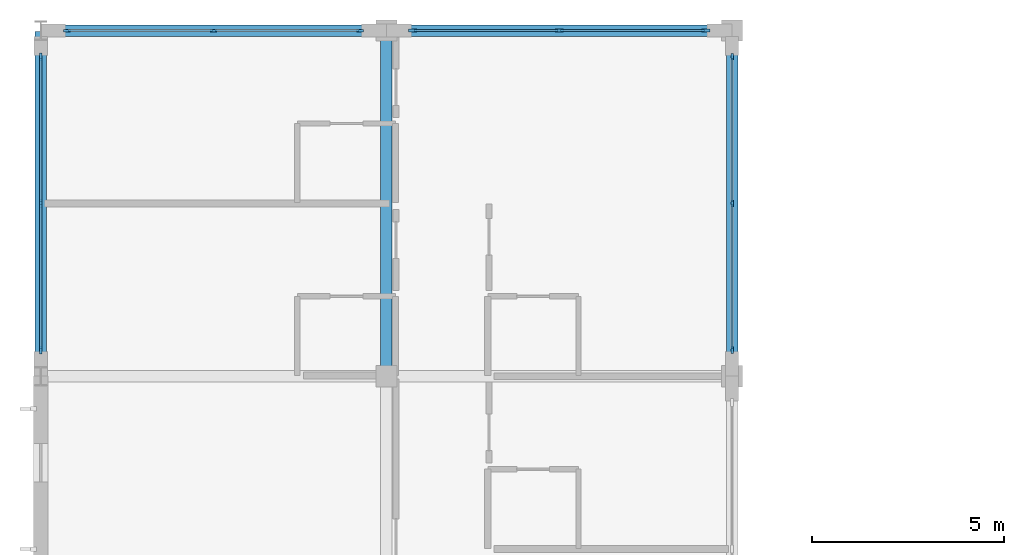
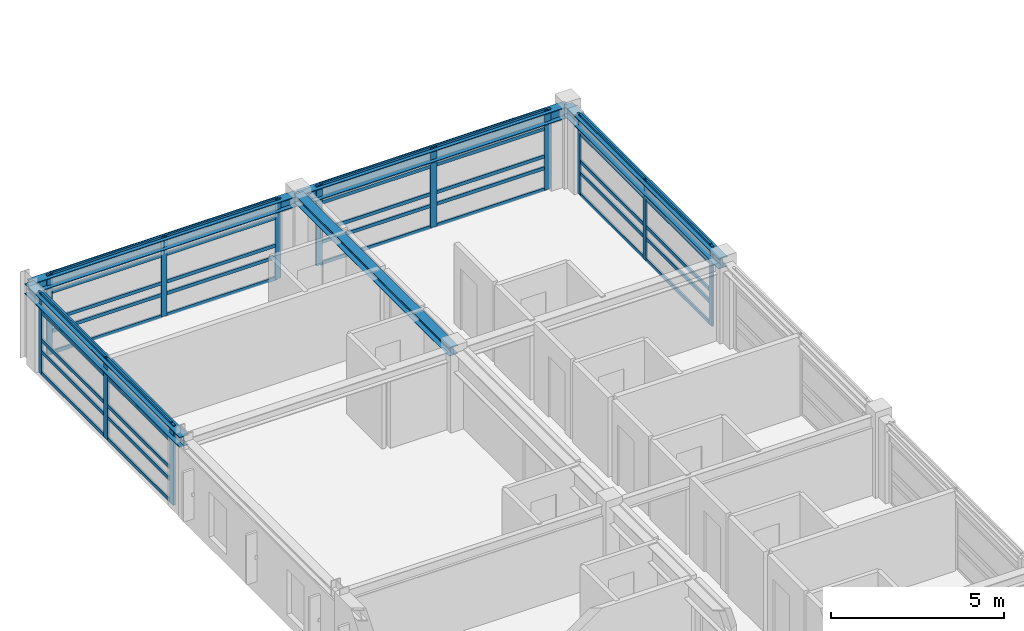
# One storey, part 10 of 30: 52 members, 5 beams, 4 elements without a shape of their own.
"""IFC4 building model written with IfcOpenShell, lengths in metres."""

from ifc_helpers import new_model, si_unit, direction, frame, origin, origin_2d, place, context, subcontext, project, spatial, rectangle, i_section, extrude, material, material_profile, profile_set, type_object, element, aggregate, save


model = new_model("IFC4")

# Units and contexts
model_context = context("Model", 3, precision=1e-05, world=origin(), true_north=direction((0.0, 1.0)))
body_context = subcontext(model_context, "Body", "Model", "MODEL_VIEW")
ifc_project = project(units=[si_unit("LENGTHUNIT", "METRE"), si_unit("AREAUNIT", "SQUARE_METRE"), si_unit("VOLUMEUNIT", "CUBIC_METRE"), si_unit("PLANEANGLEUNIT", "RADIAN"), si_unit("MASSUNIT", "GRAM", prefix="KILO")], contexts=[model_context])

# Site, building, storey
site_placement = place(None, origin())
site = spatial("IfcSite", under=ifc_project, at=site_placement, CompositionType="ELEMENT")
building_placement = place(site_placement, origin())
building = spatial("IfcBuilding", under=site, at=building_placement, Name="Palais des Congres Ocreval", CompositionType="ELEMENT")
storey_placement = place(building_placement, frame((0.0, 0.0, 14.56005859375)))
storey = spatial("IfcBuildingStorey", under=building, at=storey_placement, Name="L04", CompositionType="ELEMENT", Elevation=14.56005859375)

# Curtain wall, members
ifc_material_1 = material(Name="Anodized bronze aluminium and low-E glass", Category="glass")
curtain_wall_type = type_object("IfcCurtainWallType", Name="Unitised Curtain Wall 7900x2820", PredefinedType="USERDEFINED", material=ifc_material_1)
curtain_wall_1_placement = place(storey_placement, origin())
curtain_wall_1 = element("IfcCurtainWall", 1, at=curtain_wall_1_placement, inside=storey, type_object=curtain_wall_type, Name="Unitised Curtain Wall CW04 L04", ObjectType="UNITISED CURTAIN WALL", PredefinedType="USERDEFINED")
ifc_material_2 = material(Name="Anodized bronze aluminium", Category="aluminium")
ifc_material_profile_1 = material_profile(ifc_material_2, rectangle(XDim=0.06494140625, YDim=0.179931640625, at=origin_2d()), Name="ALU 65x180")
ifc_profile_set_1 = profile_set([ifc_material_profile_1], Name="Anodized bronze aluminium")
member_type_1 = type_object("IfcMemberType", Name="Curtain Wall Mullion ALU 65x180", PredefinedType="MULLION", material=ifc_profile_set_1)
member_1_placement = place(storey_placement, frame((0.6826171875, 72.0, 0.0), z_axis=(0.0, 0.0, 1.0), x_axis=(0.0, 1.0, 0.0)))
member_1 = element("IfcMember", 2, at=member_1_placement, type_object=member_type_1, Name="Curtain Wall Mullion ML03", PredefinedType="MULLION", context=body_context, shape_type="SweptSolid", body=[
    extrude(rectangle(XDim=0.06494140625, YDim=0.179931640625, at=origin_2d()), origin(), (0.0, 0.0, 1.0), 2.81982421875),
])
member_2_placement = place(storey_placement, frame((4.5, 72.0, 0.0), z_axis=(0.0, 0.0, 1.0), x_axis=(0.0, 1.0, 0.0)))
member_2 = element("IfcMember", 3, at=member_2_placement, type_object=member_type_1, Name="Curtain Wall Mullion ML03", PredefinedType="MULLION", context=body_context, shape_type="SweptSolid", body=[
    extrude(rectangle(XDim=0.06494140625, YDim=0.179931640625, at=origin_2d()), origin(), (0.0, 0.0, 1.0), 2.81982421875),
])
member_3_placement = place(storey_placement, frame((8.3173828125, 72.0, 0.0), z_axis=(0.0, 0.0, 1.0), x_axis=(0.0, 1.0, 0.0)))
member_3 = element("IfcMember", 4, at=member_3_placement, type_object=member_type_1, Name="Curtain Wall Mullion ML03", PredefinedType="MULLION", context=body_context, shape_type="SweptSolid", body=[
    extrude(rectangle(XDim=0.06494140625, YDim=0.179931640625, at=origin_2d()), origin(), (0.0, 0.0, 1.0), 2.81982421875),
])

curtain_wall_2_placement = place(storey_placement, origin())
curtain_wall_2 = element("IfcCurtainWall", 5, at=curtain_wall_2_placement, inside=storey, type_object=curtain_wall_type, Name="Unitised Curtain Wall CW04 L04", ObjectType="UNITISED CURTAIN WALL", PredefinedType="USERDEFINED")
member_4_placement = place(storey_placement, frame((18.0, 71.3173828125, 0.0), z_axis=(0.0, 0.0, 1.0), x_axis=(1.0, 0.0, 0.0)))
member_4 = element("IfcMember", 6, at=member_4_placement, type_object=member_type_1, Name="Curtain Wall Mullion ML03", PredefinedType="MULLION", context=body_context, shape_type="SweptSolid", body=[
    extrude(rectangle(XDim=0.06494140625, YDim=0.179931640625, at=origin_2d()), origin(), (0.0, 0.0, 1.0), 2.81982421875),
])
member_5_placement = place(storey_placement, frame((18.0, 67.5, 0.0), z_axis=(0.0, 0.0, 1.0), x_axis=(1.0, 0.0, 0.0)))
member_5 = element("IfcMember", 7, at=member_5_placement, type_object=member_type_1, Name="Curtain Wall Mullion ML03", PredefinedType="MULLION", context=body_context, shape_type="SweptSolid", body=[
    extrude(rectangle(XDim=0.06494140625, YDim=0.179931640625, at=origin_2d()), origin(), (0.0, 0.0, 1.0), 2.81982421875),
])
member_6_placement = place(storey_placement, frame((18.0, 63.6826171875, 0.0), z_axis=(0.0, 0.0, 1.0), x_axis=(1.0, 0.0, 0.0)))
member_6 = element("IfcMember", 8, at=member_6_placement, type_object=member_type_1, Name="Curtain Wall Mullion ML03", PredefinedType="MULLION", context=body_context, shape_type="SweptSolid", body=[
    extrude(rectangle(XDim=0.06494140625, YDim=0.179931640625, at=origin_2d()), origin(), (0.0, 0.0, 1.0), 2.81982421875),
])

curtain_wall_3_placement = place(storey_placement, origin())
curtain_wall_3 = element("IfcCurtainWall", 9, at=curtain_wall_3_placement, inside=storey, type_object=curtain_wall_type, Name="Unitised Curtain Wall CW04 L04", ObjectType="UNITISED CURTAIN WALL", PredefinedType="USERDEFINED")
ifc_material_profile_2 = material_profile(ifc_material_2, rectangle(XDim=0.070068359375, YDim=0.2099609375, at=origin_2d()), Name="ALU 70x210")
ifc_profile_set_2 = profile_set([ifc_material_profile_2], Name="Anodized bronze aluminium")
member_type_2 = type_object("IfcMemberType", Name="Curtain Wall Mullion ALU 70x210", PredefinedType="MULLION", material=ifc_profile_set_2)
member_7_placement = place(storey_placement, frame((0.0, 63.68505859375, 0.0), z_axis=(0.0, 0.0, 1.0), x_axis=(-1.0, 0.0, 0.0)))
member_7 = element("IfcMember", 10, at=member_7_placement, type_object=member_type_2, Name="Curtain Wall Mullion ML02", PredefinedType="MULLION", context=body_context, shape_type="SweptSolid", body=[
    extrude(rectangle(XDim=0.070068359375, YDim=0.2099609375, at=origin_2d()), origin(), (0.0, 0.0, 1.0), 2.81982421875),
])
member_8_placement = place(storey_placement, frame((0.0, 67.5, 0.0), z_axis=(0.0, 0.0, 1.0), x_axis=(-1.0, 0.0, 0.0)))
member_8 = element("IfcMember", 11, at=member_8_placement, type_object=member_type_2, Name="Curtain Wall Mullion ML02", PredefinedType="MULLION", context=body_context, shape_type="SweptSolid", body=[
    extrude(rectangle(XDim=0.070068359375, YDim=0.2099609375, at=origin_2d()), origin(), (0.0, 0.0, 1.0), 2.81982421875),
])
member_9_placement = place(storey_placement, frame((0.0, 71.31494140625, 0.0), z_axis=(0.0, 0.0, 1.0), x_axis=(-1.0, 0.0, 0.0)))
member_9 = element("IfcMember", 12, at=member_9_placement, type_object=member_type_2, Name="Curtain Wall Mullion ML02", PredefinedType="MULLION", context=body_context, shape_type="SweptSolid", body=[
    extrude(rectangle(XDim=0.070068359375, YDim=0.2099609375, at=origin_2d()), origin(), (0.0, 0.0, 1.0), 2.81982421875),
])

curtain_wall_4_placement = place(storey_placement, origin())
curtain_wall_4 = element("IfcCurtainWall", 13, at=curtain_wall_4_placement, inside=storey, type_object=curtain_wall_type, Name="Unitised Curtain Wall CW04 L04", ObjectType="UNITISED CURTAIN WALL", PredefinedType="USERDEFINED")
member_10_placement = place(storey_placement, frame((9.68505859375, 72.0, 0.0), z_axis=(0.0, 0.0, 1.0), x_axis=(0.0, 1.0, 0.0)))
member_10 = element("IfcMember", 14, at=member_10_placement, type_object=member_type_2, Name="Curtain Wall Mullion ML02", PredefinedType="MULLION", context=body_context, shape_type="SweptSolid", body=[
    extrude(rectangle(XDim=0.070068359375, YDim=0.2099609375, at=origin_2d()), origin(), (0.0, 0.0, 1.0), 2.81982421875),
])
member_11_placement = place(storey_placement, frame((13.5, 72.0, 0.0), z_axis=(0.0, 0.0, 1.0), x_axis=(0.0, 1.0, 0.0)))
member_11 = element("IfcMember", 15, at=member_11_placement, type_object=member_type_2, Name="Curtain Wall Mullion ML02", PredefinedType="MULLION", context=body_context, shape_type="SweptSolid", body=[
    extrude(rectangle(XDim=0.070068359375, YDim=0.2099609375, at=origin_2d()), origin(), (0.0, 0.0, 1.0), 2.81982421875),
])
member_12_placement = place(storey_placement, frame((17.31494140625, 72.0, 0.0), z_axis=(0.0, 0.0, 1.0), x_axis=(0.0, 1.0, 0.0)))
member_12 = element("IfcMember", 16, at=member_12_placement, type_object=member_type_2, Name="Curtain Wall Mullion ML02", PredefinedType="MULLION", context=body_context, shape_type="SweptSolid", body=[
    extrude(rectangle(XDim=0.070068359375, YDim=0.2099609375, at=origin_2d()), origin(), (0.0, 0.0, 1.0), 2.81982421875),
])

# Member
ifc_material_profile_3 = material_profile(ifc_material_2, rectangle(XDim=0.06005859375, YDim=0.1201171875, at=origin_2d()), Name="ALU 60x120")
ifc_profile_set_3 = profile_set([ifc_material_profile_3], Name="Anodized bronze aluminium")
member_type_3 = type_object("IfcMemberType", Name="Curtain Wall Transom ALU 60x120", PredefinedType="USERDEFINED", material=ifc_profile_set_3)
member_13_placement = place(storey_placement, frame((0.0, 63.719970703125, 0.030029296875), z_axis=(0.0, 1.0, 0.0), x_axis=(-1.0, 0.0, 0.0)))
member_13 = element("IfcMember", 17, at=member_13_placement, type_object=member_type_3, Name="Curtain Wall Transom TR02", ObjectType="TRANSOM", PredefinedType="USERDEFINED", context=body_context, shape_type="SweptSolid", body=[
    extrude(rectangle(XDim=0.06005859375, YDim=0.1201171875, at=origin_2d()), origin(), (0.0, 0.0, 1.0), 3.7451171875),
])

member_14_placement = place(storey_placement, frame((0.0, 63.719970703125, 0.780029296875), z_axis=(0.0, 1.0, 0.0), x_axis=(-1.0, 0.0, 0.0)))
member_14 = element("IfcMember", 18, at=member_14_placement, type_object=member_type_3, Name="Curtain Wall Transom TR02", ObjectType="TRANSOM", PredefinedType="USERDEFINED", context=body_context, shape_type="SweptSolid", body=[
    extrude(rectangle(XDim=0.06005859375, YDim=0.1201171875, at=origin_2d()), origin(), (0.0, 0.0, 1.0), 3.7451171875),
])

member_15_placement = place(storey_placement, frame((0.0, 63.719970703125, 1.193359375), z_axis=(0.0, 1.0, 0.0), x_axis=(-1.0, 0.0, 0.0)))
member_15 = element("IfcMember", 19, at=member_15_placement, type_object=member_type_3, Name="Curtain Wall Transom TR02", ObjectType="TRANSOM", PredefinedType="USERDEFINED", context=body_context, shape_type="SweptSolid", body=[
    extrude(rectangle(XDim=0.06005859375, YDim=0.1201171875, at=origin_2d()), origin(), (0.0, 0.0, 1.0), 3.7451171875),
])

member_16_placement = place(storey_placement, frame((0.0, 63.719970703125, 2.169921875), z_axis=(0.0, 1.0, 0.0), x_axis=(-1.0, 0.0, 0.0)))
member_16 = element("IfcMember", 20, at=member_16_placement, type_object=member_type_3, Name="Curtain Wall Transom TR02", ObjectType="TRANSOM", PredefinedType="USERDEFINED", context=body_context, shape_type="SweptSolid", body=[
    extrude(rectangle(XDim=0.06005859375, YDim=0.1201171875, at=origin_2d()), origin(), (0.0, 0.0, 1.0), 3.7451171875),
])

member_17_placement = place(storey_placement, frame((0.0, 63.719970703125, 2.7900390625), z_axis=(0.0, 1.0, 0.0), x_axis=(-1.0, 0.0, 0.0)))
member_17 = element("IfcMember", 21, at=member_17_placement, type_object=member_type_3, Name="Curtain Wall Transom TR02", ObjectType="TRANSOM", PredefinedType="USERDEFINED", context=body_context, shape_type="SweptSolid", body=[
    extrude(rectangle(XDim=0.06005859375, YDim=0.1201171875, at=origin_2d()), origin(), (0.0, 0.0, 1.0), 3.7451171875),
])

member_18_placement = place(storey_placement, frame((0.0, 67.534912109375, 0.030029296875), z_axis=(0.0, 1.0, 0.0), x_axis=(-1.0, 0.0, 0.0)))
member_18 = element("IfcMember", 22, at=member_18_placement, type_object=member_type_3, Name="Curtain Wall Transom TR02", ObjectType="TRANSOM", PredefinedType="USERDEFINED", context=body_context, shape_type="SweptSolid", body=[
    extrude(rectangle(XDim=0.06005859375, YDim=0.1201171875, at=origin_2d()), origin(), (0.0, 0.0, 1.0), 3.7451171875),
])

member_19_placement = place(storey_placement, frame((0.0, 67.534912109375, 0.780029296875), z_axis=(0.0, 1.0, 0.0), x_axis=(-1.0, 0.0, 0.0)))
member_19 = element("IfcMember", 23, at=member_19_placement, type_object=member_type_3, Name="Curtain Wall Transom TR02", ObjectType="TRANSOM", PredefinedType="USERDEFINED", context=body_context, shape_type="SweptSolid", body=[
    extrude(rectangle(XDim=0.06005859375, YDim=0.1201171875, at=origin_2d()), origin(), (0.0, 0.0, 1.0), 3.7451171875),
])

member_20_placement = place(storey_placement, frame((0.0, 67.534912109375, 1.193359375), z_axis=(0.0, 1.0, 0.0), x_axis=(-1.0, 0.0, 0.0)))
member_20 = element("IfcMember", 24, at=member_20_placement, type_object=member_type_3, Name="Curtain Wall Transom TR02", ObjectType="TRANSOM", PredefinedType="USERDEFINED", context=body_context, shape_type="SweptSolid", body=[
    extrude(rectangle(XDim=0.06005859375, YDim=0.1201171875, at=origin_2d()), origin(), (0.0, 0.0, 1.0), 3.7451171875),
])

member_21_placement = place(storey_placement, frame((0.0, 67.534912109375, 2.169921875), z_axis=(0.0, 1.0, 0.0), x_axis=(-1.0, 0.0, 0.0)))
member_21 = element("IfcMember", 25, at=member_21_placement, type_object=member_type_3, Name="Curtain Wall Transom TR02", ObjectType="TRANSOM", PredefinedType="USERDEFINED", context=body_context, shape_type="SweptSolid", body=[
    extrude(rectangle(XDim=0.06005859375, YDim=0.1201171875, at=origin_2d()), origin(), (0.0, 0.0, 1.0), 3.7451171875),
])

member_22_placement = place(storey_placement, frame((0.0, 67.534912109375, 2.7900390625), z_axis=(0.0, 1.0, 0.0), x_axis=(-1.0, 0.0, 0.0)))
member_22 = element("IfcMember", 26, at=member_22_placement, type_object=member_type_3, Name="Curtain Wall Transom TR02", ObjectType="TRANSOM", PredefinedType="USERDEFINED", context=body_context, shape_type="SweptSolid", body=[
    extrude(rectangle(XDim=0.06005859375, YDim=0.1201171875, at=origin_2d()), origin(), (0.0, 0.0, 1.0), 3.7451171875),
])

aggregate(curtain_wall_3, [member_7, member_8, member_9, member_13, member_14, member_15, member_16, member_17, member_18, member_19, member_20, member_21, member_22])

member_23_placement = place(storey_placement, frame((0.715087890625, 72.0, 0.030029296875), z_axis=(1.0, 0.0, 0.0), x_axis=(0.0, 1.0, 0.0)))
member_23 = element("IfcMember", 27, at=member_23_placement, type_object=member_type_3, Name="Curtain Wall Transom TR02", ObjectType="TRANSOM", PredefinedType="USERDEFINED", context=body_context, shape_type="SweptSolid", body=[
    extrude(rectangle(XDim=0.06005859375, YDim=0.1201171875, at=origin_2d()), origin(), (0.0, 0.0, 1.0), 3.75244140625),
])

member_24_placement = place(storey_placement, frame((0.715087890625, 72.0, 0.780029296875), z_axis=(1.0, 0.0, 0.0), x_axis=(0.0, 1.0, 0.0)))
member_24 = element("IfcMember", 28, at=member_24_placement, type_object=member_type_3, Name="Curtain Wall Transom TR02", ObjectType="TRANSOM", PredefinedType="USERDEFINED", context=body_context, shape_type="SweptSolid", body=[
    extrude(rectangle(XDim=0.06005859375, YDim=0.1201171875, at=origin_2d()), origin(), (0.0, 0.0, 1.0), 3.75244140625),
])

member_25_placement = place(storey_placement, frame((0.715087890625, 72.0, 1.193359375), z_axis=(1.0, 0.0, 0.0), x_axis=(0.0, 1.0, 0.0)))
member_25 = element("IfcMember", 29, at=member_25_placement, type_object=member_type_3, Name="Curtain Wall Transom TR02", ObjectType="TRANSOM", PredefinedType="USERDEFINED", context=body_context, shape_type="SweptSolid", body=[
    extrude(rectangle(XDim=0.06005859375, YDim=0.1201171875, at=origin_2d()), origin(), (0.0, 0.0, 1.0), 3.75244140625),
])

member_26_placement = place(storey_placement, frame((0.715087890625, 72.0, 2.169921875), z_axis=(1.0, 0.0, 0.0), x_axis=(0.0, 1.0, 0.0)))
member_26 = element("IfcMember", 30, at=member_26_placement, type_object=member_type_3, Name="Curtain Wall Transom TR02", ObjectType="TRANSOM", PredefinedType="USERDEFINED", context=body_context, shape_type="SweptSolid", body=[
    extrude(rectangle(XDim=0.06005859375, YDim=0.1201171875, at=origin_2d()), origin(), (0.0, 0.0, 1.0), 3.75244140625),
])

member_27_placement = place(storey_placement, frame((0.715087890625, 72.0, 2.7900390625), z_axis=(1.0, 0.0, 0.0), x_axis=(0.0, 1.0, 0.0)))
member_27 = element("IfcMember", 31, at=member_27_placement, type_object=member_type_3, Name="Curtain Wall Transom TR02", ObjectType="TRANSOM", PredefinedType="USERDEFINED", context=body_context, shape_type="SweptSolid", body=[
    extrude(rectangle(XDim=0.06005859375, YDim=0.1201171875, at=origin_2d()), origin(), (0.0, 0.0, 1.0), 3.75244140625),
])

member_28_placement = place(storey_placement, frame((4.532470703125, 72.0, 0.030029296875), z_axis=(1.0, 0.0, 0.0), x_axis=(0.0, 1.0, 0.0)))
member_28 = element("IfcMember", 32, at=member_28_placement, type_object=member_type_3, Name="Curtain Wall Transom TR02", ObjectType="TRANSOM", PredefinedType="USERDEFINED", context=body_context, shape_type="SweptSolid", body=[
    extrude(rectangle(XDim=0.06005859375, YDim=0.1201171875, at=origin_2d()), origin(), (0.0, 0.0, 1.0), 3.75244140625),
])

member_29_placement = place(storey_placement, frame((4.532470703125, 72.0, 0.780029296875), z_axis=(1.0, 0.0, 0.0), x_axis=(0.0, 1.0, 0.0)))
member_29 = element("IfcMember", 33, at=member_29_placement, type_object=member_type_3, Name="Curtain Wall Transom TR02", ObjectType="TRANSOM", PredefinedType="USERDEFINED", context=body_context, shape_type="SweptSolid", body=[
    extrude(rectangle(XDim=0.06005859375, YDim=0.1201171875, at=origin_2d()), origin(), (0.0, 0.0, 1.0), 3.75244140625),
])

member_30_placement = place(storey_placement, frame((4.532470703125, 72.0, 1.193359375), z_axis=(1.0, 0.0, 0.0), x_axis=(0.0, 1.0, 0.0)))
member_30 = element("IfcMember", 34, at=member_30_placement, type_object=member_type_3, Name="Curtain Wall Transom TR02", ObjectType="TRANSOM", PredefinedType="USERDEFINED", context=body_context, shape_type="SweptSolid", body=[
    extrude(rectangle(XDim=0.06005859375, YDim=0.1201171875, at=origin_2d()), origin(), (0.0, 0.0, 1.0), 3.75244140625),
])

member_31_placement = place(storey_placement, frame((4.532470703125, 72.0, 2.169921875), z_axis=(1.0, 0.0, 0.0), x_axis=(0.0, 1.0, 0.0)))
member_31 = element("IfcMember", 35, at=member_31_placement, type_object=member_type_3, Name="Curtain Wall Transom TR02", ObjectType="TRANSOM", PredefinedType="USERDEFINED", context=body_context, shape_type="SweptSolid", body=[
    extrude(rectangle(XDim=0.06005859375, YDim=0.1201171875, at=origin_2d()), origin(), (0.0, 0.0, 1.0), 3.75244140625),
])

member_32_placement = place(storey_placement, frame((4.532470703125, 72.0, 2.7900390625), z_axis=(1.0, 0.0, 0.0), x_axis=(0.0, 1.0, 0.0)))
member_32 = element("IfcMember", 36, at=member_32_placement, type_object=member_type_3, Name="Curtain Wall Transom TR02", ObjectType="TRANSOM", PredefinedType="USERDEFINED", context=body_context, shape_type="SweptSolid", body=[
    extrude(rectangle(XDim=0.06005859375, YDim=0.1201171875, at=origin_2d()), origin(), (0.0, 0.0, 1.0), 3.75244140625),
])

aggregate(curtain_wall_1, [member_1, member_2, member_3, member_23, member_24, member_25, member_26, member_27, member_28, member_29, member_30, member_31, member_32])

member_33_placement = place(storey_placement, frame((9.719970703125, 72.0, 0.030029296875), z_axis=(1.0, 0.0, 0.0), x_axis=(0.0, 1.0, 0.0)))
member_33 = element("IfcMember", 37, at=member_33_placement, type_object=member_type_3, Name="Curtain Wall Transom TR02", ObjectType="TRANSOM", PredefinedType="USERDEFINED", context=body_context, shape_type="SweptSolid", body=[
    extrude(rectangle(XDim=0.06005859375, YDim=0.1201171875, at=origin_2d()), origin(), (0.0, 0.0, 1.0), 3.7451171875),
])

member_34_placement = place(storey_placement, frame((9.719970703125, 72.0, 0.780029296875), z_axis=(1.0, 0.0, 0.0), x_axis=(0.0, 1.0, 0.0)))
member_34 = element("IfcMember", 38, at=member_34_placement, type_object=member_type_3, Name="Curtain Wall Transom TR02", ObjectType="TRANSOM", PredefinedType="USERDEFINED", context=body_context, shape_type="SweptSolid", body=[
    extrude(rectangle(XDim=0.06005859375, YDim=0.1201171875, at=origin_2d()), origin(), (0.0, 0.0, 1.0), 3.7451171875),
])

member_35_placement = place(storey_placement, frame((9.719970703125, 72.0, 1.193359375), z_axis=(1.0, 0.0, 0.0), x_axis=(0.0, 1.0, 0.0)))
member_35 = element("IfcMember", 39, at=member_35_placement, type_object=member_type_3, Name="Curtain Wall Transom TR02", ObjectType="TRANSOM", PredefinedType="USERDEFINED", context=body_context, shape_type="SweptSolid", body=[
    extrude(rectangle(XDim=0.06005859375, YDim=0.1201171875, at=origin_2d()), origin(), (0.0, 0.0, 1.0), 3.7451171875),
])

member_36_placement = place(storey_placement, frame((9.719970703125, 72.0, 2.169921875), z_axis=(1.0, 0.0, 0.0), x_axis=(0.0, 1.0, 0.0)))
member_36 = element("IfcMember", 40, at=member_36_placement, type_object=member_type_3, Name="Curtain Wall Transom TR02", ObjectType="TRANSOM", PredefinedType="USERDEFINED", context=body_context, shape_type="SweptSolid", body=[
    extrude(rectangle(XDim=0.06005859375, YDim=0.1201171875, at=origin_2d()), origin(), (0.0, 0.0, 1.0), 3.7451171875),
])

member_37_placement = place(storey_placement, frame((9.719970703125, 72.0, 2.7900390625), z_axis=(1.0, 0.0, 0.0), x_axis=(0.0, 1.0, 0.0)))
member_37 = element("IfcMember", 41, at=member_37_placement, type_object=member_type_3, Name="Curtain Wall Transom TR02", ObjectType="TRANSOM", PredefinedType="USERDEFINED", context=body_context, shape_type="SweptSolid", body=[
    extrude(rectangle(XDim=0.06005859375, YDim=0.1201171875, at=origin_2d()), origin(), (0.0, 0.0, 1.0), 3.7451171875),
])

member_38_placement = place(storey_placement, frame((13.534912109375, 72.0, 0.030029296875), z_axis=(1.0, 0.0, 0.0), x_axis=(0.0, 1.0, 0.0)))
member_38 = element("IfcMember", 42, at=member_38_placement, type_object=member_type_3, Name="Curtain Wall Transom TR02", ObjectType="TRANSOM", PredefinedType="USERDEFINED", context=body_context, shape_type="SweptSolid", body=[
    extrude(rectangle(XDim=0.06005859375, YDim=0.1201171875, at=origin_2d()), origin(), (0.0, 0.0, 1.0), 3.7451171875),
])

member_39_placement = place(storey_placement, frame((13.534912109375, 72.0, 0.780029296875), z_axis=(1.0, 0.0, 0.0), x_axis=(0.0, 1.0, 0.0)))
member_39 = element("IfcMember", 43, at=member_39_placement, type_object=member_type_3, Name="Curtain Wall Transom TR02", ObjectType="TRANSOM", PredefinedType="USERDEFINED", context=body_context, shape_type="SweptSolid", body=[
    extrude(rectangle(XDim=0.06005859375, YDim=0.1201171875, at=origin_2d()), origin(), (0.0, 0.0, 1.0), 3.7451171875),
])

member_40_placement = place(storey_placement, frame((13.534912109375, 72.0, 1.193359375), z_axis=(1.0, 0.0, 0.0), x_axis=(0.0, 1.0, 0.0)))
member_40 = element("IfcMember", 44, at=member_40_placement, type_object=member_type_3, Name="Curtain Wall Transom TR02", ObjectType="TRANSOM", PredefinedType="USERDEFINED", context=body_context, shape_type="SweptSolid", body=[
    extrude(rectangle(XDim=0.06005859375, YDim=0.1201171875, at=origin_2d()), origin(), (0.0, 0.0, 1.0), 3.7451171875),
])

member_41_placement = place(storey_placement, frame((13.534912109375, 72.0, 2.169921875), z_axis=(1.0, 0.0, 0.0), x_axis=(0.0, 1.0, 0.0)))
member_41 = element("IfcMember", 45, at=member_41_placement, type_object=member_type_3, Name="Curtain Wall Transom TR02", ObjectType="TRANSOM", PredefinedType="USERDEFINED", context=body_context, shape_type="SweptSolid", body=[
    extrude(rectangle(XDim=0.06005859375, YDim=0.1201171875, at=origin_2d()), origin(), (0.0, 0.0, 1.0), 3.7451171875),
])

member_42_placement = place(storey_placement, frame((13.534912109375, 72.0, 2.7900390625), z_axis=(1.0, 0.0, 0.0), x_axis=(0.0, 1.0, 0.0)))
member_42 = element("IfcMember", 46, at=member_42_placement, type_object=member_type_3, Name="Curtain Wall Transom TR02", ObjectType="TRANSOM", PredefinedType="USERDEFINED", context=body_context, shape_type="SweptSolid", body=[
    extrude(rectangle(XDim=0.06005859375, YDim=0.1201171875, at=origin_2d()), origin(), (0.0, 0.0, 1.0), 3.7451171875),
])

aggregate(curtain_wall_4, [member_10, member_11, member_12, member_33, member_34, member_35, member_36, member_37, member_38, member_39, member_40, member_41, member_42])

member_43_placement = place(storey_placement, frame((18.0, 71.284912109375, 0.030029296875), z_axis=(0.0, -1.0, 0.0), x_axis=(1.0, 0.0, 0.0)))
member_43 = element("IfcMember", 47, at=member_43_placement, type_object=member_type_3, Name="Curtain Wall Transom TR02", ObjectType="TRANSOM", PredefinedType="USERDEFINED", context=body_context, shape_type="SweptSolid", body=[
    extrude(rectangle(XDim=0.06005859375, YDim=0.1201171875, at=origin_2d()), origin(), (0.0, 0.0, 1.0), 3.75244140625),
])

member_44_placement = place(storey_placement, frame((18.0, 71.284912109375, 0.780029296875), z_axis=(0.0, -1.0, 0.0), x_axis=(1.0, 0.0, 0.0)))
member_44 = element("IfcMember", 48, at=member_44_placement, type_object=member_type_3, Name="Curtain Wall Transom TR02", ObjectType="TRANSOM", PredefinedType="USERDEFINED", context=body_context, shape_type="SweptSolid", body=[
    extrude(rectangle(XDim=0.06005859375, YDim=0.1201171875, at=origin_2d()), origin(), (0.0, 0.0, 1.0), 3.75244140625),
])

member_45_placement = place(storey_placement, frame((18.0, 71.284912109375, 1.193359375), z_axis=(0.0, -1.0, 0.0), x_axis=(1.0, 0.0, 0.0)))
member_45 = element("IfcMember", 49, at=member_45_placement, type_object=member_type_3, Name="Curtain Wall Transom TR02", ObjectType="TRANSOM", PredefinedType="USERDEFINED", context=body_context, shape_type="SweptSolid", body=[
    extrude(rectangle(XDim=0.06005859375, YDim=0.1201171875, at=origin_2d()), origin(), (0.0, 0.0, 1.0), 3.75244140625),
])

member_46_placement = place(storey_placement, frame((18.0, 71.284912109375, 2.169921875), z_axis=(0.0, -1.0, 0.0), x_axis=(1.0, 0.0, 0.0)))
member_46 = element("IfcMember", 50, at=member_46_placement, type_object=member_type_3, Name="Curtain Wall Transom TR02", ObjectType="TRANSOM", PredefinedType="USERDEFINED", context=body_context, shape_type="SweptSolid", body=[
    extrude(rectangle(XDim=0.06005859375, YDim=0.1201171875, at=origin_2d()), origin(), (0.0, 0.0, 1.0), 3.75244140625),
])

member_47_placement = place(storey_placement, frame((18.0, 71.284912109375, 2.7900390625), z_axis=(0.0, -1.0, 0.0), x_axis=(1.0, 0.0, 0.0)))
member_47 = element("IfcMember", 51, at=member_47_placement, type_object=member_type_3, Name="Curtain Wall Transom TR02", ObjectType="TRANSOM", PredefinedType="USERDEFINED", context=body_context, shape_type="SweptSolid", body=[
    extrude(rectangle(XDim=0.06005859375, YDim=0.1201171875, at=origin_2d()), origin(), (0.0, 0.0, 1.0), 3.75244140625),
])

member_48_placement = place(storey_placement, frame((18.0, 67.467529296875, 0.030029296875), z_axis=(0.0, -1.0, 0.0), x_axis=(1.0, 0.0, 0.0)))
member_48 = element("IfcMember", 52, at=member_48_placement, type_object=member_type_3, Name="Curtain Wall Transom TR02", ObjectType="TRANSOM", PredefinedType="USERDEFINED", context=body_context, shape_type="SweptSolid", body=[
    extrude(rectangle(XDim=0.06005859375, YDim=0.1201171875, at=origin_2d()), origin(), (0.0, 0.0, 1.0), 3.75244140625),
])

member_49_placement = place(storey_placement, frame((18.0, 67.467529296875, 0.780029296875), z_axis=(0.0, -1.0, 0.0), x_axis=(1.0, 0.0, 0.0)))
member_49 = element("IfcMember", 53, at=member_49_placement, type_object=member_type_3, Name="Curtain Wall Transom TR02", ObjectType="TRANSOM", PredefinedType="USERDEFINED", context=body_context, shape_type="SweptSolid", body=[
    extrude(rectangle(XDim=0.06005859375, YDim=0.1201171875, at=origin_2d()), origin(), (0.0, 0.0, 1.0), 3.75244140625),
])

member_50_placement = place(storey_placement, frame((18.0, 67.467529296875, 1.193359375), z_axis=(0.0, -1.0, 0.0), x_axis=(1.0, 0.0, 0.0)))
member_50 = element("IfcMember", 54, at=member_50_placement, type_object=member_type_3, Name="Curtain Wall Transom TR02", ObjectType="TRANSOM", PredefinedType="USERDEFINED", context=body_context, shape_type="SweptSolid", body=[
    extrude(rectangle(XDim=0.06005859375, YDim=0.1201171875, at=origin_2d()), origin(), (0.0, 0.0, 1.0), 3.75244140625),
])

member_51_placement = place(storey_placement, frame((18.0, 67.467529296875, 2.169921875), z_axis=(0.0, -1.0, 0.0), x_axis=(1.0, 0.0, 0.0)))
member_51 = element("IfcMember", 55, at=member_51_placement, type_object=member_type_3, Name="Curtain Wall Transom TR02", ObjectType="TRANSOM", PredefinedType="USERDEFINED", context=body_context, shape_type="SweptSolid", body=[
    extrude(rectangle(XDim=0.06005859375, YDim=0.1201171875, at=origin_2d()), origin(), (0.0, 0.0, 1.0), 3.75244140625),
])

member_52_placement = place(storey_placement, frame((18.0, 67.467529296875, 2.7900390625), z_axis=(0.0, -1.0, 0.0), x_axis=(1.0, 0.0, 0.0)))
member_52 = element("IfcMember", 56, at=member_52_placement, type_object=member_type_3, Name="Curtain Wall Transom TR02", ObjectType="TRANSOM", PredefinedType="USERDEFINED", context=body_context, shape_type="SweptSolid", body=[
    extrude(rectangle(XDim=0.06005859375, YDim=0.1201171875, at=origin_2d()), origin(), (0.0, 0.0, 1.0), 3.75244140625),
])

aggregate(curtain_wall_2, [member_4, member_5, member_6, member_43, member_44, member_45, member_46, member_47, member_48, member_49, member_50, member_51, member_52])

# Beams
ifc_material_3 = material(Name="Steel S355", Category="steel")
ifc_material_profile_4 = material_profile(ifc_material_3, i_section(OverallWidth=0.300048828125, OverallDepth=0.360107421875, WebThickness=0.012451171875, FlangeThickness=0.0224609375, at=origin_2d()), Name="HEB 360")
ifc_profile_set_4 = profile_set([ifc_material_profile_4], Name="Steel S355")
beam_type_1 = type_object("IfcBeamType", Name="Perimeter Spandrel HEB 360 Steel S355", PredefinedType="SPANDREL", material=ifc_profile_set_4)
for number, where, z_axis, x_axis, name in (
    (57, (0.0, 63.02001953125, 2.599853515625), (0.0, 1.0, 0.0), (-1.0, 0.0, 0.0), "Girder SP03 L04"),
    (58, (0.02001953125, 72.0, 2.599853515625), (1.0, 0.0, 0.0), (0.0, 1.0, 0.0), "Beam SP03 L04"),
    (59, (18.0, 63.02001953125, 2.599853515625), (0.0, 1.0, 0.0), (-1.0, 0.0, 0.0), "Girder SP03 L04"),
):
    element("IfcBeam", number, at=place(storey_placement, frame(where, z_axis=z_axis, x_axis=x_axis)), inside=storey, type_object=beam_type_1, Name=name, PredefinedType="SPANDREL", context=body_context, shape_type="SweptSolid", body=[
        extrude(i_section(OverallWidth=0.300048828125, OverallDepth=0.360107421875, WebThickness=0.012451171875, FlangeThickness=0.0224609375, at=origin_2d()), origin(), (0.0, 0.0, 1.0), 8.9599609375),
    ])
ifc_material_profile_5 = material_profile(ifc_material_3, i_section(OverallWidth=0.300048828125, OverallDepth=0.39990234375, WebThickness=0.013427734375, FlangeThickness=0.02392578125, at=origin_2d()), Name="HEB 400")
ifc_profile_set_5 = profile_set([ifc_material_profile_5], Name="Steel S355")
beam_type_2 = type_object("IfcBeamType", Name="Perimeter Spandrel HEB 400 Steel S355", PredefinedType="SPANDREL", material=ifc_profile_set_5)
beam_1_placement = place(storey_placement, frame((9.02001953125, 72.0, 2.579833984375), z_axis=(1.0, 0.0, 0.0), x_axis=(0.0, 1.0, 0.0)))
element("IfcBeam", 60, at=beam_1_placement, inside=storey, type_object=beam_type_2, Name="Beam SP04 L04", PredefinedType="SPANDREL", context=body_context, shape_type="SweptSolid", body=[
    extrude(i_section(OverallWidth=0.300048828125, OverallDepth=0.39990234375, WebThickness=0.013427734375, FlangeThickness=0.02392578125, at=origin_2d()), origin(), (0.0, 0.0, 1.0), 8.9599609375),
])
ifc_material_profile_6 = material_profile(ifc_material_3, i_section(OverallWidth=0.300048828125, OverallDepth=0.2900390625, WebThickness=0.008544921875, FlangeThickness=0.013916015625, at=origin_2d()), Name="HEA 300")
ifc_profile_set_6 = profile_set([ifc_material_profile_6], Name="Steel S355")
beam_type_3 = type_object("IfcBeamType", Name="Primary Beam HEA 300 Steel S355", PredefinedType="BEAM", material=ifc_profile_set_6)
beam_2_placement = place(storey_placement, frame((9.0, 63.02001953125, 2.635009765625), z_axis=(0.0, 1.0, 0.0), x_axis=(-1.0, 0.0, 0.0)))
element("IfcBeam", 61, at=beam_2_placement, inside=storey, type_object=beam_type_3, Name="Girder B08 L04", PredefinedType="BEAM", context=body_context, shape_type="SweptSolid", body=[
    extrude(i_section(OverallWidth=0.300048828125, OverallDepth=0.2900390625, WebThickness=0.008544921875, FlangeThickness=0.013916015625, at=origin_2d()), origin(), (0.0, 0.0, 1.0), 8.9599609375),
])

save(model, "model.ifc")
